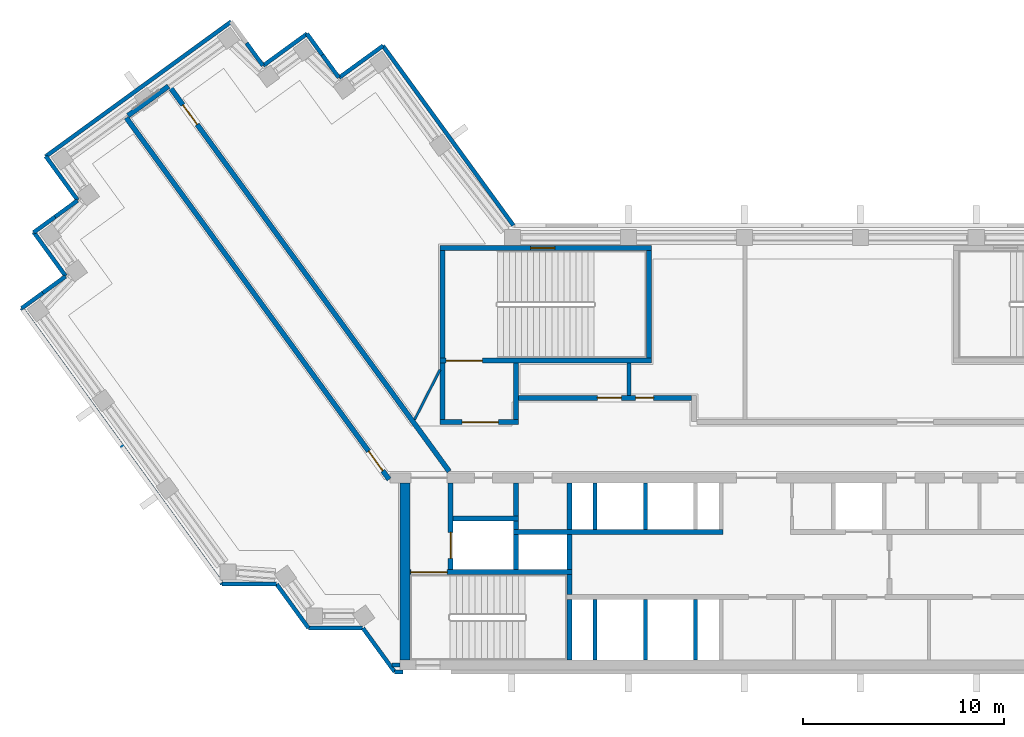
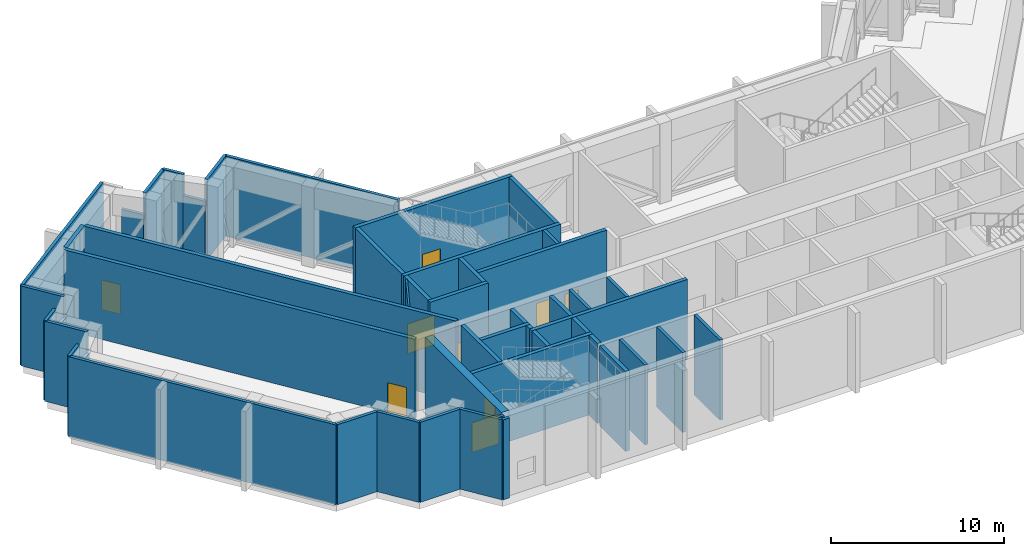
# One storey, part 9 of 15: 50 walls, 8 doors, 1 window, 9 openings.
"""IFC4 building model written with IfcOpenShell, lengths in metres."""

from ifc_helpers import new_model, si_unit, direction, frame, frame_2d, origin, place, context, subcontext, project, spatial, rectangle, extrude, material, layer, layer_set, type_object, element, fill, save


model = new_model("IFC4")

# Units and contexts
model_context = context("Model", 3, precision=1e-05, world=origin(), true_north=direction((0.0, 1.0)))
body_context = subcontext(model_context, "Body", "Model", "MODEL_VIEW")
ifc_project = project(units=[si_unit("LENGTHUNIT", "METRE"), si_unit("AREAUNIT", "SQUARE_METRE"), si_unit("VOLUMEUNIT", "CUBIC_METRE"), si_unit("PLANEANGLEUNIT", "RADIAN"), si_unit("MASSUNIT", "GRAM", prefix="KILO")], contexts=[model_context])

# Site, building, storey
site_placement = place(None, origin())
site = spatial("IfcSite", under=ifc_project, at=site_placement, CompositionType="ELEMENT")
building_placement = place(site_placement, origin())
building = spatial("IfcBuilding", under=site, at=building_placement, Name="Quipu Civic Tower", CompositionType="ELEMENT")
storey_placement = place(building_placement, frame((0.0, 0.0, 301.0)))
storey = spatial("IfcBuildingStorey", under=building, at=storey_placement, Name="L70", CompositionType="ELEMENT", Elevation=301.0)

# Walls
ifc_material_1 = material(Name="Fired clay blockwork", Category="masonry")
ifc_layer_1 = layer(ifc_material_1, 0.199951171875)
ifc_layer_set_1 = layer_set([ifc_layer_1], Name="Fired clay blockwork")
wall_type_1 = type_object("IfcWallType", Name="Blockwork wall 200", PredefinedType="SOLIDWALL", material=ifc_layer_set_1)
wall_1_placement = place(storey_placement, frame((-8.616943359375, 4.25, 0.0), z_axis=(0.0, 0.0, 1.0), x_axis=(0.0, -1.0, 0.0)))
element("IfcWall", 1, at=wall_1_placement, inside=storey, type_object=wall_type_1, Name="Partition P03", PredefinedType="SOLIDWALL", context=body_context, shape_type="SweptSolid", body=[
    extrude(rectangle(XDim=1.60009765625, YDim=0.199951171875, at=frame_2d((0.800048828125, 0.0))), origin(), (0.0, 0.0, 1.0), 5.64990234375),
])
ifc_material_2 = material(Name="Concrete C70/85", Category="concrete")
ifc_layer_2 = layer(ifc_material_2, 0.25)
ifc_layer_set_2 = layer_set([ifc_layer_2], Name="Concrete C70/85")
wall_type_2 = type_object("IfcWallType", Name="Core wall 250", PredefinedType="SHEAR", material=ifc_layer_set_2)
wall_2_placement = place(storey_placement, frame((-11.574951171875, -10.5, 0.0), z_axis=(0.0, 0.0, 1.0), x_axis=(0.0, 1.0, 0.0)))
element("IfcWall", 2, at=wall_2_placement, inside=storey, type_object=wall_type_2, Name="Core wall", PredefinedType="SHEAR", context=body_context, shape_type="SweptSolid", body=[
    extrude(rectangle(XDim=3.0, YDim=0.25, at=frame_2d((1.5, 0.0))), origin(), (0.0, 0.0, 1.0), 5.64990234375),
])
wall_3_placement = place(storey_placement, frame((-11.574951171875, -7.25, 0.0), z_axis=(0.0, 0.0, 1.0), x_axis=(0.0, 1.0, 0.0)))
element("IfcWall", 3, at=wall_3_placement, inside=storey, type_object=wall_type_2, Name="Core wall", PredefinedType="SHEAR", context=body_context, shape_type="SweptSolid", body=[
    extrude(rectangle(XDim=1.0, YDim=0.25, at=frame_2d((0.5, 0.0))), origin(), (0.0, 0.0, 1.0), 5.64990234375),
])

# Wall, opening, door
wall_4_placement = place(storey_placement, frame((-11.449951171875, -6.125, 0.0), z_axis=(0.0, 0.0, 1.0), x_axis=(-1.0, 0.0, 0.0)))
wall_4 = element("IfcWall", 4, at=wall_4_placement, inside=storey, type_object=wall_type_2, Name="Core wall", PredefinedType="SHEAR", context=body_context, shape_type="SweptSolid", body=[
    extrude(rectangle(XDim=8.050048828125, YDim=0.25, at=frame_2d((4.02490234375, 0.0))), origin(), (0.0, 0.0, 1.0), 5.64990234375),
])
opening_1_placement = place(wall_4_placement, frame((6.199951171875, 0.0, 0.0)))
opening_1 = element("IfcOpeningElement", 5, at=opening_1_placement, cuts=wall_4, Name="Opening CD-05", PredefinedType="OPENING", context=body_context, shape_type="SweptSolid", body=[
    extrude(rectangle(XDim=1.800048828125, YDim=2.10009765625, at=frame_2d((0.89990234375, 1.050048828125))), frame((0.0, 0.135009765625, 0.0), z_axis=(0.0, -1.0, 0.0), x_axis=(1.0, 0.0, 0.0)), (0.0, 0.0, 1.0), 0.27001953125),
])
ifc_material_3 = material(Name="Fire rated steel door", Category="steel")
door_type_1 = type_object("IfcDoorType", Name="Fire door FD90 double 1800 x 2100", OperationType="NOTDEFINED", PredefinedType="DOOR", material=ifc_material_3)
door_1_placement = place(opening_1_placement, origin())
door_1 = element("IfcDoor", 6, at=door_1_placement, inside=storey, type_object=door_type_1, Name="Door", OperationType="DOUBLE_DOOR_SINGLE_SWING", OverallHeight=2.10009765625, OverallWidth=1.800048828125, PredefinedType="DOOR", context=body_context, shape_type="SweptSolid", body=[
    extrude(rectangle(XDim=1.800048828125, YDim=2.10009765625, at=frame_2d((0.89990234375, 1.050048828125))), frame((0.0, 0.02490234375, 0.0), z_axis=(0.0, -1.0, 0.0), x_axis=(1.0, 0.0, 0.0)), (0.0, 0.0, 1.0), 0.050048828125),
])
fill(opening_1, door_1)

wall_5_placement = place(storey_placement, frame((-17.47509765625, -6.0, 0.0), z_axis=(0.0, 0.0, 1.0), x_axis=(0.0, 1.0, 0.0)))
wall_5 = element("IfcWall", 7, at=wall_5_placement, inside=storey, type_object=wall_type_2, Name="Core wall", PredefinedType="SHEAR", context=body_context, shape_type="SweptSolid", body=[
    extrude(rectangle(XDim=4.300048828125, YDim=0.25, at=frame_2d((2.14990234375, 0.0))), origin(), (0.0, 0.0, 1.0), 5.64990234375),
])
opening_2_placement = place(wall_5_placement, frame((0.550048828125, 0.0, 0.0)))
opening_2 = element("IfcOpeningElement", 8, at=opening_2_placement, cuts=wall_5, Name="Opening LD-FF1", PredefinedType="OPENING", context=body_context, shape_type="SweptSolid", body=[
    extrude(rectangle(XDim=1.300048828125, YDim=2.10009765625, at=frame_2d((0.64990234375, 1.050048828125))), frame((0.0, 0.135009765625, 0.0), z_axis=(0.0, -1.0, 0.0), x_axis=(1.0, 0.0, 0.0)), (0.0, 0.0, 1.0), 0.27001953125),
])
ifc_material_4 = material(Name="Stainless steel", Category="steel")
door_type_2 = type_object("IfcDoorType", Name="Lift landing door 1300 x 2100", OperationType="DOUBLE_DOOR_SLIDING", PredefinedType="DOOR", material=ifc_material_4)
door_2_placement = place(opening_2_placement, origin())
door_2 = element("IfcDoor", 9, at=door_2_placement, inside=storey, type_object=door_type_2, Name="Landing door FF1", OperationType="DOUBLE_DOOR_SLIDING", OverallHeight=2.10009765625, OverallWidth=1.300048828125, PredefinedType="DOOR", context=body_context, shape_type="SweptSolid", body=[
    extrude(rectangle(XDim=1.300048828125, YDim=2.10009765625, at=frame_2d((0.64990234375, 1.050048828125))), frame((0.0, 0.02490234375, 0.0), z_axis=(0.0, -1.0, 0.0), x_axis=(1.0, 0.0, 0.0)), (0.0, 0.0, 1.0), 0.050048828125),
])
fill(opening_2, door_2)

# Walls
for number, where, z_axis, x_axis, name in (
    (10, (-14.22509765625, -6.0, 0.0), (0.0, 0.0, 1.0), (0.0, 1.0, 0.0), "Core wall"),
    (11, (-11.574951171875, -6.0, 0.0), (0.0, 0.0, 1.0), (0.0, 1.0, 0.0), "Core wall"),
):
    element("IfcWall", number, at=place(storey_placement, frame(where, z_axis=z_axis, x_axis=x_axis)), inside=storey, type_object=wall_type_2, Name=name, PredefinedType="SHEAR", context=body_context, shape_type="SweptSolid", body=[
        extrude(rectangle(XDim=1.75, YDim=0.25, at=frame_2d((0.875, 0.0))), origin(), (0.0, 0.0, 1.0), 5.64990234375),
    ])
wall_6_placement = place(storey_placement, frame((-14.35009765625, -4.125, 0.0), z_axis=(0.0, 0.0, 1.0), x_axis=(1.0, 0.0, 0.0)))
element("IfcWall", 12, at=wall_6_placement, inside=storey, type_object=wall_type_2, Name="Core wall", PredefinedType="SHEAR", context=body_context, shape_type="SweptSolid", body=[
    extrude(rectangle(XDim=10.400146484375, YDim=0.25, at=frame_2d((5.2001953125, 0.0))), origin(), (0.0, 0.0, 1.0), 5.64990234375),
])
wall_7_placement = place(storey_placement, frame((-14.22509765625, -4.0, 0.0), z_axis=(0.0, 0.0, 1.0), x_axis=(0.0, 1.0, 0.0)))
element("IfcWall", 13, at=wall_7_placement, inside=storey, type_object=wall_type_2, Name="Core wall", PredefinedType="SHEAR", context=body_context, shape_type="SweptSolid", body=[
    extrude(rectangle(XDim=0.39990234375, YDim=0.25, at=frame_2d((0.199951171875, 0.0))), origin(), (0.0, 0.0, 1.0), 5.64990234375),
])
wall_8_placement = place(storey_placement, frame((-11.574951171875, -4.0, 0.0), z_axis=(0.0, 0.0, 1.0), x_axis=(0.0, 1.0, 0.0)))
element("IfcWall", 14, at=wall_8_placement, inside=storey, type_object=wall_type_2, Name="Core wall", PredefinedType="SHEAR", context=body_context, shape_type="SweptSolid", body=[
    extrude(rectangle(XDim=2.300048828125, YDim=0.25, at=frame_2d((1.14990234375, 0.0))), origin(), (0.0, 0.0, 1.0), 5.64990234375),
])
wall_9_placement = place(storey_placement, frame((-17.35009765625, -3.47509765625, 0.0), z_axis=(0.0, 0.0, 1.0), x_axis=(1.0, 0.0, 0.0)))
element("IfcWall", 15, at=wall_9_placement, inside=storey, type_object=wall_type_2, Name="Core wall", PredefinedType="SHEAR", context=body_context, shape_type="SweptSolid", body=[
    extrude(rectangle(XDim=3.25, YDim=0.25, at=frame_2d((1.625, 0.0))), origin(), (0.0, 0.0, 1.0), 5.64990234375),
])
wall_10_placement = place(storey_placement, frame((-14.22509765625, -3.35009765625, 0.0), z_axis=(0.0, 0.0, 1.0), x_axis=(0.0, 1.0, 0.0)))
element("IfcWall", 16, at=wall_10_placement, inside=storey, type_object=wall_type_2, Name="Core wall", PredefinedType="SHEAR", context=body_context, shape_type="SweptSolid", body=[
    extrude(rectangle(XDim=1.650146484375, YDim=0.25, at=frame_2d((0.8251953125, 0.0))), origin(), (0.0, 0.0, 1.0), 5.64990234375),
])

# Wall, opening, door
wall_11_placement = place(storey_placement, frame((-18.0, 1.324951171875, 0.0), z_axis=(0.0, 0.0, 1.0), x_axis=(1.0, 0.0, 0.0)))
wall_11 = element("IfcWall", 17, at=wall_11_placement, inside=storey, type_object=wall_type_2, Name="Core wall", PredefinedType="SHEAR", context=body_context, shape_type="SweptSolid", body=[
    extrude(rectangle(XDim=3.89990234375, YDim=0.25, at=frame_2d((1.949951171875, 0.0))), origin(), (0.0, 0.0, 1.0), 5.64990234375),
])
opening_3_placement = place(wall_11_placement, frame((1.10009765625, 0.0, 0.0)))
opening_3 = element("IfcOpeningElement", 18, at=opening_3_placement, cuts=wall_11, Name="Opening CD-20", PredefinedType="OPENING", context=body_context, shape_type="SweptSolid", body=[
    extrude(rectangle(XDim=1.800048828125, YDim=2.10009765625, at=frame_2d((0.89990234375, 1.050048828125))), frame((0.0, 0.135009765625, 0.0), z_axis=(0.0, -1.0, 0.0), x_axis=(1.0, 0.0, 0.0)), (0.0, 0.0, 1.0), 0.27001953125),
])
door_3_placement = place(opening_3_placement, origin())
door_3 = element("IfcDoor", 19, at=door_3_placement, inside=storey, type_object=door_type_1, Name="Lobby door", OperationType="DOUBLE_DOOR_SINGLE_SWING", OverallHeight=2.10009765625, OverallWidth=1.800048828125, PredefinedType="DOOR", context=body_context, shape_type="SweptSolid", body=[
    extrude(rectangle(XDim=1.800048828125, YDim=2.10009765625, at=frame_2d((0.89990234375, 1.050048828125))), frame((0.0, 0.02490234375, 0.0), z_axis=(0.0, -1.0, 0.0), x_axis=(1.0, 0.0, 0.0)), (0.0, 0.0, 1.0), 0.050048828125),
])
fill(opening_3, door_3)

# Walls
for number, where, z_axis, x_axis, name in (
    (20, (-17.875, 1.449951171875, 0.0), (0.0, 0.0, 1.0), (0.0, 1.0, 0.0), "Core wall"),
    (21, (-14.22509765625, 1.449951171875, 0.0), (0.0, 0.0, 1.0), (0.0, 1.0, 0.0), "Core wall"),
):
    element("IfcWall", number, at=place(storey_placement, frame(where, z_axis=z_axis, x_axis=x_axis)), inside=storey, type_object=wall_type_2, Name=name, PredefinedType="SHEAR", context=body_context, shape_type="SweptSolid", body=[
        extrude(rectangle(XDim=2.800048828125, YDim=0.25, at=frame_2d((1.39990234375, 0.0))), origin(), (0.0, 0.0, 1.0), 5.64990234375),
    ])

# Wall, opening, door
wall_12_placement = place(storey_placement, frame((-18.0, 4.375, 0.0), z_axis=(0.0, 0.0, 1.0), x_axis=(1.0, 0.0, 0.0)))
wall_12 = element("IfcWall", 22, at=wall_12_placement, inside=storey, type_object=wall_type_2, Name="Core wall", PredefinedType="SHEAR", context=body_context, shape_type="SweptSolid", body=[
    extrude(rectangle(XDim=10.5, YDim=0.25, at=frame_2d((5.25, 0.0))), origin(), (0.0, 0.0, 1.0), 5.64990234375),
])
opening_4_placement = place(wall_12_placement, frame((0.300048828125, 0.0, 0.0)))
opening_4 = element("IfcOpeningElement", 23, at=opening_4_placement, cuts=wall_12, Name="Opening CD-21", PredefinedType="OPENING", context=body_context, shape_type="SweptSolid", body=[
    extrude(rectangle(XDim=1.800048828125, YDim=2.10009765625, at=frame_2d((0.89990234375, 1.050048828125))), frame((0.0, 0.135009765625, 0.0), z_axis=(0.0, -1.0, 0.0), x_axis=(1.0, 0.0, 0.0)), (0.0, 0.0, 1.0), 0.27001953125),
])
door_4_placement = place(opening_4_placement, origin())
door_4 = element("IfcDoor", 24, at=door_4_placement, inside=storey, type_object=door_type_1, Name="Door", OperationType="DOUBLE_DOOR_SINGLE_SWING", OverallHeight=2.10009765625, OverallWidth=1.800048828125, PredefinedType="DOOR", context=body_context, shape_type="SweptSolid", body=[
    extrude(rectangle(XDim=1.800048828125, YDim=2.10009765625, at=frame_2d((0.89990234375, 1.050048828125))), frame((0.0, 0.02490234375, 0.0), z_axis=(0.0, -1.0, 0.0), x_axis=(1.0, 0.0, 0.0)), (0.0, 0.0, 1.0), 0.050048828125),
])
fill(opening_4, door_4)

# Walls
for number, where, z_axis, x_axis, name in (
    (25, (-17.875, 4.5, 0.0), (0.0, 0.0, 1.0), (0.0, 1.0, 0.0), "Core wall"),
    (26, (-7.625, 4.5, 0.0), (0.0, 0.0, 1.0), (0.0, 1.0, 0.0), "Core wall"),
):
    element("IfcWall", number, at=place(storey_placement, frame(where, z_axis=z_axis, x_axis=x_axis)), inside=storey, type_object=wall_type_2, Name=name, PredefinedType="SHEAR", context=body_context, shape_type="SweptSolid", body=[
        extrude(rectangle(XDim=5.35009765625, YDim=0.25, at=frame_2d((2.675048828125, 0.0))), origin(), (0.0, 0.0, 1.0), 5.64990234375),
    ])

# Wall, opening, window
wall_13_placement = place(storey_placement, frame((-18.0, 9.97509765625, 0.0), z_axis=(0.0, 0.0, 1.0), x_axis=(1.0, 0.0, 0.0)))
wall_13 = element("IfcWall", 27, at=wall_13_placement, inside=storey, type_object=wall_type_2, Name="Core wall", PredefinedType="SHEAR", context=body_context, shape_type="SweptSolid", body=[
    extrude(rectangle(XDim=10.5, YDim=0.25, at=frame_2d((5.25, 0.0))), origin(), (0.0, 0.0, 1.0), 5.64990234375),
])
opening_5_placement = place(wall_13_placement, frame((4.5, 0.0, 1.0)))
opening_5 = element("IfcOpeningElement", 28, at=opening_5_placement, cuts=wall_13, Name="Opening SV-3", PredefinedType="OPENING", context=body_context, shape_type="SweptSolid", body=[
    extrude(rectangle(XDim=1.199951171875, YDim=1.199951171875, at=frame_2d((0.60009765625, 0.60009765625))), frame((0.0, 0.135009765625, 0.0), z_axis=(0.0, -1.0, 0.0), x_axis=(1.0, 0.0, 0.0)), (0.0, 0.0, 1.0), 0.27001953125),
])
ifc_material_5 = material(Name="Aluminium louvre", Category="aluminium")
window_type = type_object("IfcWindowType", Name="Stair ventilation louvre 1200 x 1200", PartitioningType="SINGLE_PANEL", PredefinedType="WINDOW", material=ifc_material_5)
window_placement = place(opening_5_placement, origin())
window = element("IfcWindow", 29, at=window_placement, inside=storey, type_object=window_type, Name="Stair ventilation opening", OverallHeight=1.199951171875, OverallWidth=1.199951171875, PartitioningType="SINGLE_PANEL", PredefinedType="WINDOW", context=body_context, shape_type="SweptSolid", body=[
    extrude(rectangle(XDim=1.199951171875, YDim=1.199951171875, at=frame_2d((0.60009765625, 0.60009765625))), frame((0.0, 0.030029296875, 0.0), z_axis=(0.0, -1.0, 0.0), x_axis=(1.0, 0.0, 0.0)), (0.0, 0.0, 1.0), 0.06005859375),
])
fill(opening_5, window)

# Wall
ifc_material_6 = material(Name="Concrete C70/85", Category="concrete")
ifc_layer_3 = layer(ifc_material_6, 0.5)
ifc_layer_set_3 = layer_set([ifc_layer_3], Name="Concrete C70/85")
wall_type_3 = type_object("IfcWallType", Name="Core wall 500", PredefinedType="SHEAR", material=ifc_layer_set_3)
wall_14_placement = place(storey_placement, frame((-19.75, -10.5, 0.0), z_axis=(0.0, 0.0, 1.0), x_axis=(0.0, 1.0, 0.0)))
element("IfcWall", 30, at=wall_14_placement, inside=storey, type_object=wall_type_3, Name="Core wall", PredefinedType="SHEAR", context=body_context, shape_type="SweptSolid", body=[
    extrude(rectangle(XDim=8.800048828125, YDim=0.5, at=frame_2d((4.39990234375, 0.0))), origin(), (0.0, 0.0, 1.0), 5.64990234375),
])

# Wall, opening, door
ifc_material_7 = material(Name="Concrete C50/60", Category="concrete")
ifc_layer_4 = layer(ifc_material_7, 0.25)
ifc_layer_set_4 = layer_set([ifc_layer_4], Name="Concrete C50/60")
wall_type_4 = type_object("IfcWallType", Name="Corridor wall 250 concrete", PredefinedType="SOLIDWALL", material=ifc_layer_set_4)
wall_15_placement = place(storey_placement, frame((-20.531005859375, -1.5234375, 0.0), z_axis=(0.0, 0.0, 1.0), x_axis=(-0.587782114023, 0.809019274452, 0.0)))
wall_15 = element("IfcWall", 31, at=wall_15_placement, inside=storey, type_object=wall_type_4, Name="Corridor wall C06", PredefinedType="SOLIDWALL", context=body_context, shape_type="SweptSolid", body=[
    extrude(rectangle(XDim=22.211669921875, YDim=0.25, at=frame_2d((11.10595703125, 0.0))), origin(), (0.0, 0.0, 1.0), 5.64990234375),
])
opening_6_placement = place(wall_15_placement, frame((0.533203125, 0.0, 0.0)))
opening_6 = element("IfcOpeningElement", 32, at=opening_6_placement, cuts=wall_15, Name="Opening D008", PredefinedType="OPENING", context=body_context, shape_type="SweptSolid", body=[
    extrude(rectangle(XDim=1.199951171875, YDim=2.10009765625, at=frame_2d((0.60009765625, 1.050048828125))), frame((0.0, 0.135009765625, 0.0), z_axis=(0.0, -1.0, 0.0), x_axis=(1.0, 0.0, 0.0)), (0.0, 0.0, 1.0), 0.27001953125),
])
ifc_material_8 = material(Name="Fire rated timber door set with metal frame", Category="wood")
door_type_3 = type_object("IfcDoorType", Name="Single door 1200 x 2100 FD60", OperationType="NOTDEFINED", PredefinedType="DOOR", material=ifc_material_8)
door_5_placement = place(opening_6_placement, origin())
door_5 = element("IfcDoor", 33, at=door_5_placement, inside=storey, type_object=door_type_3, Name="Door D008", OperationType="SINGLE_SWING_LEFT", OverallHeight=2.10009765625, OverallWidth=1.199951171875, PredefinedType="DOOR", context=body_context, shape_type="SweptSolid", body=[
    extrude(rectangle(XDim=1.199951171875, YDim=2.10009765625, at=frame_2d((0.60009765625, 1.050048828125))), frame((0.0, 0.02490234375, 0.0), z_axis=(0.0, -1.0, 0.0), x_axis=(1.0, 0.0, 0.0)), (0.0, 0.0, 1.0), 0.050048828125),
])
fill(opening_6, door_5)

# Wall
wall_16_placement = place(storey_placement, frame((-33.50244140625, 16.549072265625, 0.0), z_axis=(0.0, 0.0, 1.0), x_axis=(0.809045768422, 0.587745646176, 0.0)))
element("IfcWall", 34, at=wall_16_placement, inside=storey, type_object=wall_type_4, Name="Corridor wall C07", PredefinedType="SOLIDWALL", context=body_context, shape_type="SweptSolid", body=[
    extrude(rectangle(XDim=2.48779296875, YDim=0.25, at=frame_2d((1.243896484375, 0.0))), origin(), (0.0, 0.0, 1.0), 5.64990234375),
])

# Wall, opening, door
wall_17_placement = place(storey_placement, frame((-31.386962890625, 17.927001953125, 0.0), z_axis=(0.0, 0.0, 1.0), x_axis=(0.587788830132, -0.80901439491, 0.0)))
wall_17 = element("IfcWall", 35, at=wall_17_placement, inside=storey, type_object=wall_type_4, Name="Corridor wall C08", PredefinedType="SOLIDWALL", context=body_context, shape_type="SweptSolid", body=[
    extrude(rectangle(XDim=23.54931640625, YDim=0.25, at=frame_2d((11.774658203125, 0.0))), origin(), (0.0, 0.0, 1.0), 5.64990234375),
])
opening_7_placement = place(wall_17_placement, frame((1.046142578125, 0.0, 0.0)))
opening_7 = element("IfcOpeningElement", 36, at=opening_7_placement, cuts=wall_17, Name="Opening D007", PredefinedType="OPENING", context=body_context, shape_type="SweptSolid", body=[
    extrude(rectangle(XDim=1.199951171875, YDim=2.10009765625, at=frame_2d((0.60009765625, 1.050048828125))), frame((0.0, 0.135009765625, 0.0), z_axis=(0.0, -1.0, 0.0), x_axis=(1.0, 0.0, 0.0)), (0.0, 0.0, 1.0), 0.27001953125),
])
door_6_placement = place(opening_7_placement, origin())
door_6 = element("IfcDoor", 37, at=door_6_placement, inside=storey, type_object=door_type_3, Name="Door D007", OperationType="SINGLE_SWING_LEFT", OverallHeight=2.10009765625, OverallWidth=1.199951171875, PredefinedType="DOOR", context=body_context, shape_type="SweptSolid", body=[
    extrude(rectangle(XDim=1.199951171875, YDim=2.10009765625, at=frame_2d((0.60009765625, 1.050048828125))), frame((0.0, 0.02490234375, 0.0), z_axis=(0.0, -1.0, 0.0), x_axis=(1.0, 0.0, 0.0)), (0.0, 0.0, 1.0), 0.050048828125),
])
fill(opening_7, door_6)

# Wall, openings, doors
wall_18_placement = place(storey_placement, frame((-14.090087890625, 2.52490234375, 0.0), z_axis=(0.0, 0.0, 1.0), x_axis=(1.0, 0.0, 0.0)))
wall_18 = element("IfcWall", 38, at=wall_18_placement, inside=storey, type_object=wall_type_4, Name="Corridor wall C09", PredefinedType="SOLIDWALL", context=body_context, shape_type="SweptSolid", body=[
    extrude(rectangle(XDim=8.590087890625, YDim=0.25, at=frame_2d((4.294921875, 0.0))), origin(), (0.0, 0.0, 1.0), 5.64990234375),
])
opening_8_placement = place(wall_18_placement, frame((5.802978515625, 0.0, 0.0)))
opening_8 = element("IfcOpeningElement", 39, at=opening_8_placement, cuts=wall_18, Name="Opening D005", PredefinedType="OPENING", context=body_context, shape_type="SweptSolid", body=[
    extrude(rectangle(XDim=0.89990234375, YDim=2.10009765625, at=frame_2d((0.449951171875, 1.050048828125))), frame((0.0, 0.135009765625, 0.0), z_axis=(0.0, -1.0, 0.0), x_axis=(1.0, 0.0, 0.0)), (0.0, 0.0, 1.0), 0.27001953125),
])
opening_9_placement = place(wall_18_placement, frame((3.903076171875, 0.0, 0.0)))
opening_9 = element("IfcOpeningElement", 40, at=opening_9_placement, cuts=wall_18, Name="Opening D004", PredefinedType="OPENING", context=body_context, shape_type="SweptSolid", body=[
    extrude(rectangle(XDim=1.199951171875, YDim=2.10009765625, at=frame_2d((0.60009765625, 1.050048828125))), frame((0.0, 0.135009765625, 0.0), z_axis=(0.0, -1.0, 0.0), x_axis=(1.0, 0.0, 0.0)), (0.0, 0.0, 1.0), 0.27001953125),
])
door_7_placement = place(opening_9_placement, origin())
door_7 = element("IfcDoor", 41, at=door_7_placement, inside=storey, type_object=door_type_3, Name="Door D004", OperationType="SINGLE_SWING_RIGHT", OverallHeight=2.10009765625, OverallWidth=1.199951171875, PredefinedType="DOOR", context=body_context, shape_type="SweptSolid", body=[
    extrude(rectangle(XDim=1.199951171875, YDim=2.10009765625, at=frame_2d((0.60009765625, 1.050048828125))), frame((0.0, 0.02490234375, 0.0), z_axis=(0.0, -1.0, 0.0), x_axis=(1.0, 0.0, 0.0)), (0.0, 0.0, 1.0), 0.050048828125),
])
fill(opening_9, door_7)
ifc_material_9 = material(Name="Fire rated timber door set with metal frame", Category="wood")
door_type_4 = type_object("IfcDoorType", Name="Single door 900 x 2100 FD60", OperationType="NOTDEFINED", PredefinedType="DOOR", material=ifc_material_9)
door_8_placement = place(opening_8_placement, origin())
door_8 = element("IfcDoor", 42, at=door_8_placement, inside=storey, type_object=door_type_4, Name="Door D005", OperationType="SINGLE_SWING_LEFT", OverallHeight=2.10009765625, OverallWidth=0.89990234375, PredefinedType="DOOR", context=body_context, shape_type="SweptSolid", body=[
    extrude(rectangle(XDim=0.89990234375, YDim=2.10009765625, at=frame_2d((0.449951171875, 1.050048828125))), frame((0.0, 0.02490234375, 0.0), z_axis=(0.0, -1.0, 0.0), x_axis=(1.0, 0.0, 0.0)), (0.0, 0.0, 1.0), 0.050048828125),
])
fill(opening_8, door_8)

# Walls
ifc_material_10 = material(Name="Gypsum plasterboard on light gauge framing")
ifc_layer_5 = layer(ifc_material_10, 0.1201171875)
ifc_layer_set_5 = layer_set([ifc_layer_5], Name="Gypsum plasterboard on light gauge framing")
wall_type_5 = type_object("IfcWallType", Name="Partition 120 plasterboard", PredefinedType="PARTITIONING", material=ifc_layer_set_5)
wall_19_placement = place(storey_placement, frame((-19.260986328125, 1.449951171875, 0.0), z_axis=(0.0, 0.0, 1.0), x_axis=(0.453950796792, 0.891026752736, 0.0)))
element("IfcWall", 43, at=wall_19_placement, inside=storey, type_object=wall_type_5, Name="Partition P05", PredefinedType="PARTITIONING", context=body_context, shape_type="SweptSolid", body=[
    extrude(rectangle(XDim=2.77783203125, YDim=0.1201171875, at=frame_2d((1.388916015625, 0.0))), origin(), (0.0, 0.0, 1.0), 5.64990234375),
])
ifc_material_11 = material(Name="Precast concrete C40/50", Category="concrete")
wall_type_6 = type_object("IfcWallType", Name="Precast cladding wall", PredefinedType="SOLIDWALL", material=ifc_material_11)
wall_20_placement = place(storey_placement, frame((-14.35400390625, 11.093017578125, 0.0), z_axis=(0.0, 0.0, 1.0), x_axis=(-0.58779571445, 0.809009393069, 0.0)))
element("IfcWall", 44, at=wall_20_placement, inside=storey, type_object=wall_type_6, Name="Precast cladding wall L70 1", PredefinedType="SOLIDWALL", context=body_context, shape_type="SweptSolid", body=[
    extrude(rectangle(XDim=11.044189453125, YDim=0.199951171875, at=frame_2d((5.52197265625, 0.0))), origin(), (0.0, 0.0, 1.0), 5.64990234375),
])
wall_21_placement = place(storey_placement, frame((-20.828857421875, 20.025390625, 0.0), z_axis=(0.0, 0.0, 1.0), x_axis=(-0.808990163075, -0.587822180636, 0.0)))
element("IfcWall", 45, at=wall_21_placement, inside=storey, type_object=wall_type_6, Name="Precast cladding wall L70 2", PredefinedType="SOLIDWALL", context=body_context, shape_type="SweptSolid", body=[
    extrude(rectangle(XDim=2.699951171875, YDim=0.199951171875, at=frame_2d((1.35009765625, 0.0))), origin(), (0.0, 0.0, 1.0), 5.64990234375),
])
wall_22_placement = place(storey_placement, frame((-23.030029296875, 18.44091796875, 0.0), z_axis=(0.0, 0.0, 1.0), x_axis=(-0.587753586678, 0.809039999844, 0.0)))
element("IfcWall", 46, at=wall_22_placement, inside=storey, type_object=wall_type_6, Name="Precast cladding wall L70 3", PredefinedType="SOLIDWALL", context=body_context, shape_type="SweptSolid", body=[
    extrude(rectangle(XDim=1.388916015625, YDim=0.199951171875, at=frame_2d((0.6943359375, 0.0))), origin(), (0.0, 0.0, 1.0), 4.14990234375),
])
wall_23_placement = place(storey_placement, frame((-23.846435546875, 19.564697265625, 0.0), z_axis=(0.0, 0.0, 1.0), x_axis=(-0.587772972264, 0.809025916196, 0.0)))
element("IfcWall", 47, at=wall_23_placement, inside=storey, type_object=wall_type_6, Name="Precast cladding wall L70 3 a", PredefinedType="SOLIDWALL", context=body_context, shape_type="SweptSolid", body=[
    extrude(rectangle(XDim=1.310791015625, YDim=0.199951171875, at=frame_2d((0.6552734375, 0.0))), origin(), (0.0, 0.0, 1.0), 5.64990234375),
])
wall_24_placement = place(storey_placement, frame((-24.60009765625, 20.62255859375, 0.0), z_axis=(0.0, 0.0, 1.0), x_axis=(-0.809064397168, -0.587720002413, 0.0)))
element("IfcWall", 48, at=wall_24_placement, inside=storey, type_object=wall_type_6, Name="Precast cladding wall L70 4", PredefinedType="SOLIDWALL", context=body_context, shape_type="SweptSolid", body=[
    extrude(rectangle(XDim=2.7001953125, YDim=0.199951171875, at=frame_2d((1.35009765625, 0.0))), origin(), (0.0, 0.0, 1.0), 5.64990234375),
])
wall_25_placement = place(storey_placement, frame((-26.801513671875, 19.0380859375, 0.0), z_axis=(0.0, 0.0, 1.0), x_axis=(-0.587731903943, 0.809055751533, 0.0)))
element("IfcWall", 49, at=wall_25_placement, inside=storey, type_object=wall_type_6, Name="Precast cladding wall L70 5", PredefinedType="SOLIDWALL", context=body_context, shape_type="SweptSolid", body=[
    extrude(rectangle(XDim=1.386474609375, YDim=0.199951171875, at=frame_2d((0.693359375, 0.0))), origin(), (0.0, 0.0, 1.0), 4.14990234375),
])
wall_26_placement = place(storey_placement, frame((-28.37158203125, 21.219970703125, 0.0), z_axis=(0.0, 0.0, 1.0), x_axis=(-0.809023074878, -0.587776883106, 0.0)))
element("IfcWall", 50, at=wall_26_placement, inside=storey, type_object=wall_type_6, Name="Precast cladding wall L70 6", PredefinedType="SOLIDWALL", context=body_context, shape_type="SweptSolid", body=[
    extrude(rectangle(XDim=11.400146484375, YDim=0.199951171875, at=frame_2d((5.7001953125, 0.0))), origin(), (0.0, 0.0, 1.0), 5.64990234375),
])
wall_27_placement = place(storey_placement, frame((-37.591796875, 14.535888671875, 0.0), z_axis=(0.0, 0.0, 1.0), x_axis=(0.587762999008, -0.809033161865, 0.0)))
element("IfcWall", 51, at=wall_27_placement, inside=storey, type_object=wall_type_6, Name="Precast cladding wall L70 7", PredefinedType="SOLIDWALL", context=body_context, shape_type="SweptSolid", body=[
    extrude(rectangle(XDim=2.699951171875, YDim=0.199951171875, at=frame_2d((1.35009765625, 0.0))), origin(), (0.0, 0.0, 1.0), 5.64990234375),
])
wall_28_placement = place(storey_placement, frame((-36.00732421875, 12.334716796875, 0.0), z_axis=(0.0, 0.0, 1.0), x_axis=(-0.809078659976, -0.58770036751, 0.0)))
element("IfcWall", 52, at=wall_28_placement, inside=storey, type_object=wall_type_6, Name="Precast cladding wall L70 8", PredefinedType="SOLIDWALL", context=body_context, shape_type="SweptSolid", body=[
    extrude(rectangle(XDim=1.38623046875, YDim=0.199951171875, at=frame_2d((0.693115234375, 0.0))), origin(), (0.0, 0.0, 1.0), 4.14990234375),
])
wall_29_placement = place(storey_placement, frame((-37.12890625, 11.52001953125, 0.0), z_axis=(0.0, 0.0, 1.0), x_axis=(-0.808985145084, -0.587829086584, 0.0)))
element("IfcWall", 53, at=wall_29_placement, inside=storey, type_object=wall_type_6, Name="Precast cladding wall L70 8 a", PredefinedType="SOLIDWALL", context=body_context, shape_type="SweptSolid", body=[
    extrude(rectangle(XDim=1.313720703125, YDim=0.199951171875, at=frame_2d((0.65673828125, 0.0))), origin(), (0.0, 0.0, 1.0), 5.64990234375),
])
wall_30_placement = place(storey_placement, frame((-38.189208984375, 10.7646484375, 0.0), z_axis=(0.0, 0.0, 1.0), x_axis=(0.587822180636, -0.808990163075, 0.0)))
element("IfcWall", 54, at=wall_30_placement, inside=storey, type_object=wall_type_6, Name="Precast cladding wall L70 9", PredefinedType="SOLIDWALL", context=body_context, shape_type="SweptSolid", body=[
    extrude(rectangle(XDim=2.699951171875, YDim=0.199951171875, at=frame_2d((1.35009765625, 0.0))), origin(), (0.0, 0.0, 1.0), 5.64990234375),
])
wall_31_placement = place(storey_placement, frame((-36.604736328125, 8.5634765625, 0.0), z_axis=(0.0, 0.0, 1.0), x_axis=(-0.808970345434, -0.587849453694, 0.0)))
element("IfcWall", 55, at=wall_31_placement, inside=storey, type_object=wall_type_6, Name="Precast cladding wall L70 10", PredefinedType="SOLIDWALL", context=body_context, shape_type="SweptSolid", body=[
    extrude(rectangle(XDim=1.396728515625, YDim=0.199951171875, at=frame_2d((0.6982421875, 0.0))), origin(), (0.0, 0.0, 1.0), 4.14990234375),
])
wall_32_placement = place(storey_placement, frame((-37.734619140625, 7.742431640625, 0.0), z_axis=(0.0, 0.0, 1.0), x_axis=(-0.809011398613, -0.587792954121, 0.0)))
element("IfcWall", 56, at=wall_32_placement, inside=storey, type_object=wall_type_6, Name="Precast cladding wall L70 10 a", PredefinedType="SOLIDWALL", context=body_context, shape_type="SweptSolid", body=[
    extrude(rectangle(XDim=1.303466796875, YDim=0.199951171875, at=frame_2d((0.65185546875, 0.0))), origin(), (0.0, 0.0, 1.0), 5.64990234375),
])
wall_33_placement = place(storey_placement, frame((-38.786376953125, 6.9931640625, 0.0), z_axis=(0.0, 0.0, 1.0), x_axis=(0.587789790223, -0.809013697356, 0.0)))
element("IfcWall", 57, at=wall_33_placement, inside=storey, type_object=wall_type_6, Name="Precast cladding wall L70 11", PredefinedType="SOLIDWALL", context=body_context, shape_type="SweptSolid", body=[
    extrude(rectangle(XDim=16.95556640625, YDim=0.199951171875, at=frame_2d((8.477783203125, 0.0))), origin(), (0.0, 0.0, 1.0), 5.64990234375),
])
wall_34_placement = place(storey_placement, frame((-28.829833984375, -6.71923828125, 0.0), z_axis=(0.0, 0.0, 1.0), x_axis=(1.0, 0.0, 0.0)))
element("IfcWall", 58, at=wall_34_placement, inside=storey, type_object=wall_type_6, Name="Precast cladding wall L70 12", PredefinedType="SOLIDWALL", context=body_context, shape_type="SweptSolid", body=[
    extrude(rectangle(XDim=2.699951171875, YDim=0.199951171875, at=frame_2d((1.35009765625, 0.0))), origin(), (0.0, 0.0, 1.0), 5.64990234375),
])
wall_35_placement = place(storey_placement, frame((-26.1201171875, -6.72412109375, 0.0), z_axis=(0.0, 0.0, 1.0), x_axis=(0.587720002413, -0.809064397168, 0.0)))
element("IfcWall", 59, at=wall_35_placement, inside=storey, type_object=wall_type_6, Name="Precast cladding wall L70 13", PredefinedType="SOLIDWALL", context=body_context, shape_type="SweptSolid", body=[
    extrude(rectangle(XDim=2.7001953125, YDim=0.199951171875, at=frame_2d((1.35009765625, 0.0))), origin(), (0.0, 0.0, 1.0), 5.64990234375),
])
wall_36_placement = place(storey_placement, frame((-24.542724609375, -8.90380859375, 0.0), z_axis=(0.0, 0.0, 1.0), x_axis=(1.0, 0.0, 0.0)))
element("IfcWall", 60, at=wall_36_placement, inside=storey, type_object=wall_type_6, Name="Precast cladding wall L70 14", PredefinedType="SOLIDWALL", context=body_context, shape_type="SweptSolid", body=[
    extrude(rectangle(XDim=2.699951171875, YDim=0.199951171875, at=frame_2d((1.35009765625, 0.0))), origin(), (0.0, 0.0, 1.0), 5.64990234375),
])
wall_37_placement = place(storey_placement, frame((-21.8330078125, -8.90869140625, 0.0), z_axis=(0.0, 0.0, 1.0), x_axis=(0.587766567315, -0.809030569476, 0.0)))
element("IfcWall", 61, at=wall_37_placement, inside=storey, type_object=wall_type_6, Name="Precast cladding wall L70 15", PredefinedType="SOLIDWALL", context=body_context, shape_type="SweptSolid", body=[
    extrude(rectangle(XDim=2.687744140625, YDim=0.199951171875, at=frame_2d((1.34375, 0.0))), origin(), (0.0, 0.0, 1.0), 5.64990234375),
])
wall_38_placement = place(storey_placement, frame((-20.255859375, -11.087890625, 0.0), z_axis=(0.0, 0.0, 1.0), x_axis=(1.0, 0.0, 0.0)))
element("IfcWall", 62, at=wall_38_placement, inside=storey, type_object=wall_type_6, Name="Precast cladding wall L70 16", PredefinedType="SOLIDWALL", context=body_context, shape_type="SweptSolid", body=[
    extrude(rectangle(XDim=0.40576171875, YDim=0.199951171875, at=frame_2d((0.202880859375, 0.0))), origin(), (0.0, 0.0, 1.0), 5.64990234375),
])
wall_39_placement = place(storey_placement, frame((-19.97998046875, -10.75, 0.0), z_axis=(0.0, 0.0, 1.0), x_axis=(-1.0, 0.0, 0.0)))
element("IfcWall", 63, at=wall_39_placement, inside=storey, type_object=wall_type_6, Name="Precast cladding return L70 W", PredefinedType="SOLIDWALL", context=body_context, shape_type="SweptSolid", body=[
    extrude(rectangle(XDim=0.41650390625, YDim=0.199951171875, at=frame_2d((0.208251953125, 0.0))), origin(), (0.0, 0.0, 1.0), 5.64990234375),
])
ifc_material_12 = material(Name="Concrete C40/50", Category="concrete")
ifc_layer_6 = layer(ifc_material_12, 0.199951171875)
ifc_layer_set_6 = layer_set([ifc_layer_6], Name="Concrete C40/50")
wall_type_7 = type_object("IfcWallType", Name="Shaft wall 200", PredefinedType="SOLIDWALL", material=ifc_layer_set_6)
for number, where, z_axis, x_axis, name in (
    (64, (-10.300048828125, -10.5, 0.0), (0.0, 0.0, 1.0), (0.0, 1.0, 0.0), "Shaft wall"),
    (65, (-7.800048828125, -10.5, 0.0), (0.0, 0.0, 1.0), (0.0, 1.0, 0.0), "Shaft wall"),
    (66, (-5.300048828125, -10.5, 0.0), (0.0, 0.0, 1.0), (0.0, 1.0, 0.0), "Shaft wall"),
):
    element("IfcWall", number, at=place(storey_placement, frame(where, z_axis=z_axis, x_axis=x_axis)), inside=storey, type_object=wall_type_7, Name=name, PredefinedType="SOLIDWALL", context=body_context, shape_type="SweptSolid", body=[
        extrude(rectangle(XDim=3.0, YDim=0.199951171875, at=frame_2d((1.5, 0.0))), origin(), (0.0, 0.0, 1.0), 5.64990234375),
    ])
for number, where, z_axis, x_axis, name in (
    (67, (-10.300048828125, -4.0, 0.0), (0.0, 0.0, 1.0), (0.0, 1.0, 0.0), "Shaft wall"),
    (68, (-7.800048828125, -4.0, 0.0), (0.0, 0.0, 1.0), (0.0, 1.0, 0.0), "Shaft wall"),
):
    element("IfcWall", number, at=place(storey_placement, frame(where, z_axis=z_axis, x_axis=x_axis)), inside=storey, type_object=wall_type_7, Name=name, PredefinedType="SOLIDWALL", context=body_context, shape_type="SweptSolid", body=[
        extrude(rectangle(XDim=2.300048828125, YDim=0.199951171875, at=frame_2d((1.14990234375, 0.0))), origin(), (0.0, 0.0, 1.0), 5.64990234375),
    ])

save(model, "model.ifc")
